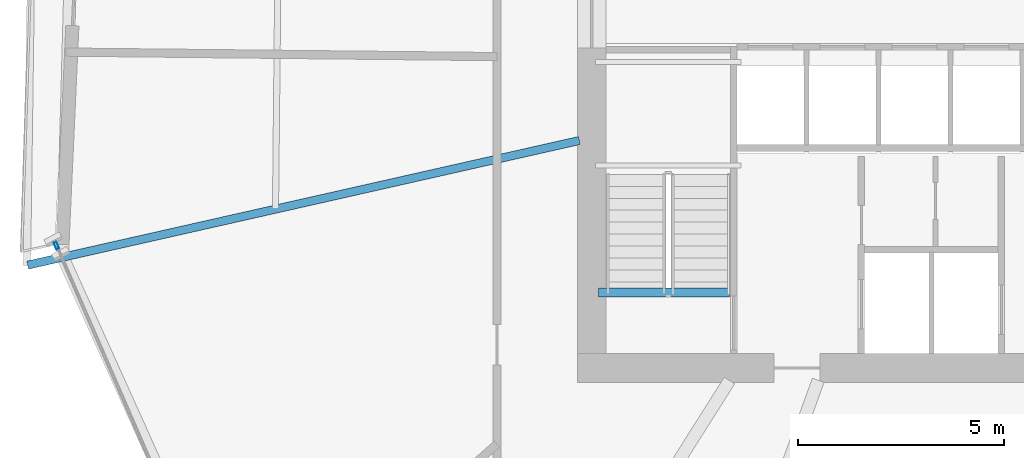
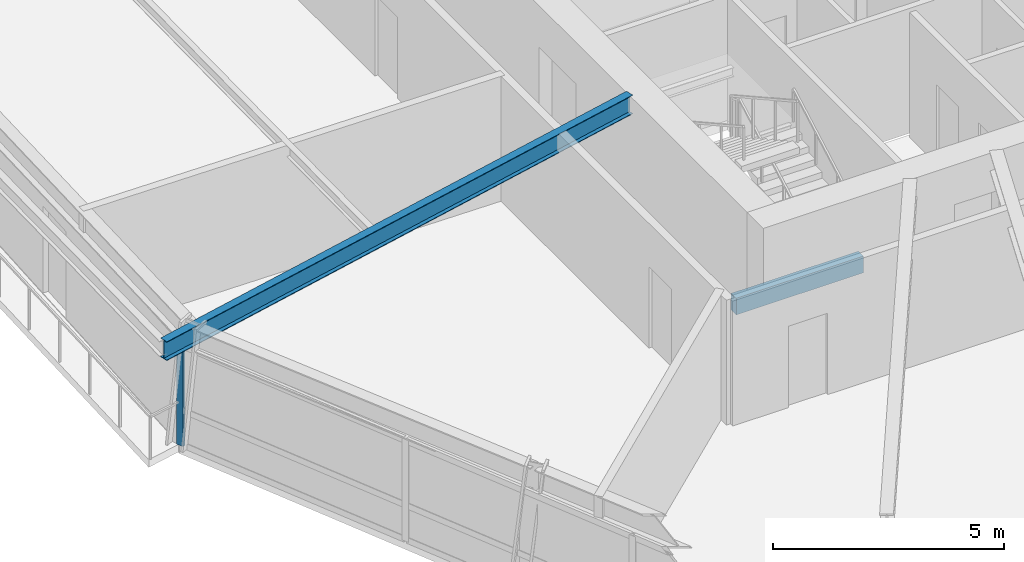
# One storey, part 6 of 19: 2 beams, 1 member, 1 element without a shape of its own.
"""IFC4 building model written with IfcOpenShell, lengths in metres."""

from ifc_helpers import new_model, si_unit, direction, frame, origin, origin_2d, place, context, subcontext, project, spatial, rectangle, hollow_rectangle, i_section, extrude, source, transform, mapped, material, material_profile, profile_set, type_object, element, aggregate, save


model = new_model("IFC4")

# Units and contexts
model_context = context("Model", 3, precision=1e-05, world=origin(), true_north=direction((0.0, 1.0)))
body_context = subcontext(model_context, "Body", "Model", "MODEL_VIEW")
ifc_project = project(units=[si_unit("LENGTHUNIT", "METRE"), si_unit("AREAUNIT", "SQUARE_METRE"), si_unit("VOLUMEUNIT", "CUBIC_METRE"), si_unit("PLANEANGLEUNIT", "RADIAN"), si_unit("MASSUNIT", "GRAM", prefix="KILO")], contexts=[model_context])

# Site, building, storey
site_placement = place(None, origin())
site = spatial("IfcSite", under=ifc_project, at=site_placement, CompositionType="ELEMENT")
building_placement = place(site_placement, origin())
building = spatial("IfcBuilding", under=site, at=building_placement, Name="Olszyna Solenne Hotel", CompositionType="ELEMENT")
storey_placement = place(building_placement, frame((0.0, 0.0, 84.39990234375)))
storey = spatial("IfcBuildingStorey", under=building, at=storey_placement, Name="L21", CompositionType="ELEMENT", Elevation=84.39990234375)

# Beam
ifc_material_1 = material(Name="Steel S355J2", Category="steel")
ifc_material_profile_1 = material_profile(ifc_material_1, i_section(OverallWidth=0.199951171875, OverallDepth=0.5, WebThickness=0.01025390625, FlangeThickness=0.01611328125, at=origin_2d()), Name="IPE 500", Category="load-bearing")
ifc_profile_set_1 = profile_set([ifc_material_profile_1], Name="Steel S355J2")
beam_type_1 = type_object("IfcBeamType", Name="BM-F3", PredefinedType="BEAM", material=ifc_profile_set_1)
shared_shape_1 = source(origin(), body_context, "Body", "SweptSolid", [
    extrude(i_section(OverallWidth=0.199951171875, OverallDepth=0.5, WebThickness=0.01025390625, FlangeThickness=0.01611328125, at=origin_2d()), origin(), (0.0, 0.0, 1.0), 13.7353515625),
])
beam_1_placement = place(storey_placement, frame((16.05078125, 21.646240234375, 3.050048828125), z_axis=(0.975432624438, 0.220297969082, 0.0), x_axis=(-0.220297969082, 0.975432624438, 0.0)))
element("IfcBeam", 1, at=beam_1_placement, inside=storey, type_object=beam_type_1, Name="Radial floor girder BM-F3 B-L21-0650", PredefinedType="BEAM", context=body_context, shape_type="MappedRepresentation", body=[
    mapped(shared_shape_1, transform((0.0, 0.0, 0.0), x_axis=(1.0, 0.0, 0.0), y_axis=(0.0, 1.0, 0.0), z_axis=(0.0, 0.0, 1.0), scale=1.0)),
])

# Curtain wall, member
ifc_material_2 = material(Name="Anodised bronze aluminium", Category="aluminium")
curtain_wall_type = type_object("IfcCurtainWallType", Name="CW-SYS-3", PredefinedType="NOTDEFINED", material=ifc_material_2)
curtain_wall_placement = place(storey_placement, origin())
curtain_wall = element("IfcCurtainWall", 2, at=curtain_wall_placement, inside=storey, type_object=curtain_wall_type, Name="Unitised curtain wall CW-SYS-3 CW-L21-01", PredefinedType="NOTDEFINED")
ifc_material_profile_2 = material_profile(ifc_material_2, hollow_rectangle(XDim=0.074951171875, YDim=0.179931640625, WallThickness=0.00439453125, at=origin_2d()), Name="MULL 180x75x4.5", Category="load-bearing")
ifc_profile_set_2 = profile_set([ifc_material_profile_2], Name="Anodised bronze aluminium")
member_type = type_object("IfcMemberType", Name="CW-M2", PredefinedType="MULLION", material=ifc_profile_set_2)
shared_shape_2 = source(origin(), body_context, "Body", "SweptSolid", [
    extrude(hollow_rectangle(XDim=0.074951171875, YDim=0.179931640625, WallThickness=0.00439453125, at=origin_2d()), origin(), (0.0, 0.0, 1.0), 2.692138671875),
])
member_placement = place(storey_placement, frame((16.749267578125, 22.121826171875, 0.0), z_axis=(0.0, 0.0, 1.0), x_axis=(0.917030626795, 0.398816786909, 0.0)))
member = element("IfcMember", 3, at=member_placement, type_object=member_type, Name="Curtain-wall mullion CW-M2 CM-L21-01-01", PredefinedType="MULLION", context=body_context, shape_type="MappedRepresentation", body=[
    mapped(shared_shape_2, transform((0.0, 0.0, 0.0), x_axis=(1.0, 0.0, 0.0), y_axis=(0.0, 1.0, 0.0), z_axis=(0.0, 0.0, 1.0), scale=1.0)),
])
aggregate(curtain_wall, [member])

# Beam
ifc_material_3 = material(Name="Concrete C50/60", Category="concrete")
ifc_material_profile_3 = material_profile(ifc_material_3, rectangle(XDim=0.219970703125, YDim=0.43994140625, at=origin_2d()), Name="RC 220x440", Category="load-bearing")
ifc_profile_set_3 = profile_set([ifc_material_profile_3], Name="Concrete C50/60")
beam_type_2 = type_object("IfcBeamType", Name="BM-ST1", PredefinedType="BEAM", material=ifc_profile_set_3)
shared_shape_3 = source(origin(), body_context, "Body", "SweptSolid", [
    extrude(rectangle(XDim=0.219970703125, YDim=0.43994140625, at=origin_2d()), origin(), (0.0, 0.0, 1.0), 3.18017578125),
])
beam_2_placement = place(storey_placement, frame((33.10009765625, 20.97998046875, -0.204833984375), z_axis=(-1.0, 0.0, 0.0), x_axis=(0.0, -1.0, 0.0)))
element("IfcBeam", 4, at=beam_2_placement, inside=storey, type_object=beam_type_2, Name="Concrete stair trimmer beam BM-ST1 SHB-ST1-0183", PredefinedType="BEAM", context=body_context, shape_type="MappedRepresentation", body=[
    mapped(shared_shape_3, transform((0.0, 0.0, 0.0), x_axis=(1.0, 0.0, 0.0), y_axis=(0.0, 1.0, 0.0), z_axis=(0.0, 0.0, 1.0), scale=1.0)),
])

save(model, "model.ifc")
